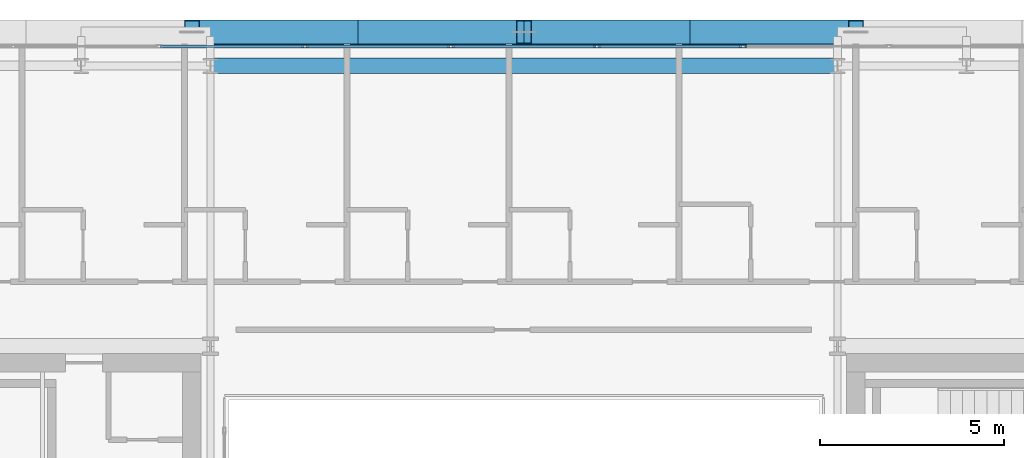
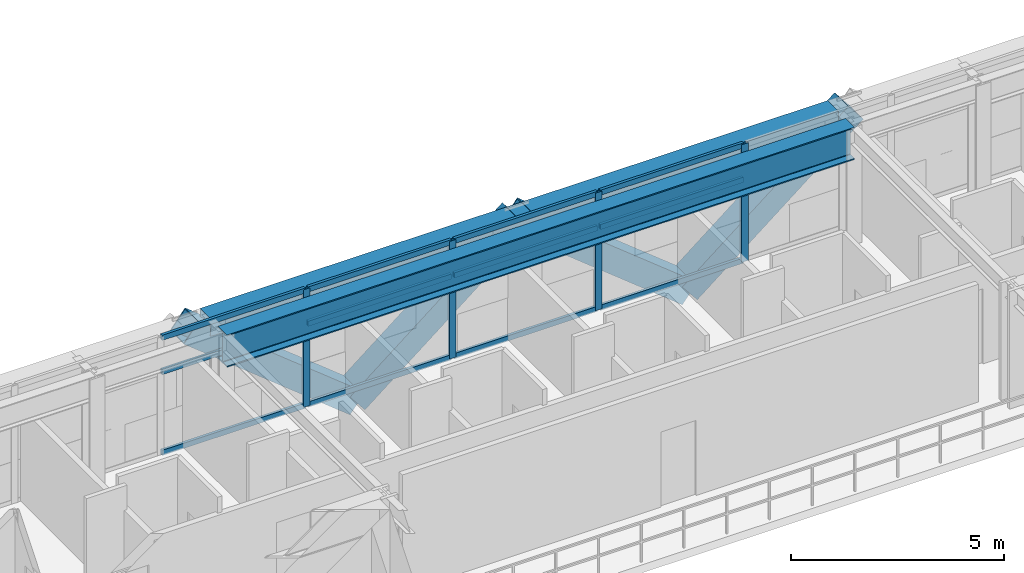
# One storey, part 21 of 38: 20 members, 2 beams, 1 element without a shape of its own.
"""IFC4 building model written with IfcOpenShell, lengths in metres."""

from ifc_helpers import new_model, si_unit, direction, frame, origin, origin_2d, place, context, subcontext, project, spatial, hollow_rectangle, i_section, extrude, source, transform, mapped, material, layer, layer_set, material_profile, profile_set, type_object, element, aggregate, save


model = new_model("IFC4")

# Units and contexts
model_context = context("Model", 3, precision=1e-05, world=origin(), true_north=direction((0.0, 1.0)))
body_context = subcontext(model_context, "Body", "Model", "MODEL_VIEW")
ifc_project = project(units=[si_unit("LENGTHUNIT", "METRE"), si_unit("AREAUNIT", "SQUARE_METRE"), si_unit("VOLUMEUNIT", "CUBIC_METRE"), si_unit("PLANEANGLEUNIT", "RADIAN"), si_unit("MASSUNIT", "GRAM", prefix="KILO")], contexts=[model_context])

# Site, building, storey
site_placement = place(None, origin())
site = spatial("IfcSite", under=ifc_project, at=site_placement, CompositionType="ELEMENT")
building_placement = place(site_placement, origin())
building = spatial("IfcBuilding", under=site, at=building_placement, Name="Ocotamira Hotel", CompositionType="ELEMENT")
storey_placement = place(building_placement, frame((0.0, 0.0, 170.39990234375)))
storey = spatial("IfcBuildingStorey", under=building, at=storey_placement, Name="L42", CompositionType="ELEMENT", Elevation=170.39990234375)

# Beams
ifc_material_1 = material(Name="Steel ASTM A992 Grade 50", Category="steel")
ifc_material_profile_1 = material_profile(ifc_material_1, i_section(OverallWidth=0.41796875, OverallDepth=0.927001953125, WebThickness=0.019287109375, FlangeThickness=0.031982421875, FilletRadius=0.02392578125, at=origin_2d()), Name="W36X231")
ifc_profile_set_1 = profile_set([ifc_material_profile_1], Name="Steel ASTM A992 Grade 50")
beam_type_1 = type_object("IfcBeamType", Name="BM-GIRD-W36X231", PredefinedType="BEAM", material=ifc_profile_set_1)
shared_shape_1 = source(origin(), body_context, "Body", "SweptSolid", [
    extrude(i_section(OverallWidth=0.41796875, OverallDepth=0.927001953125, WebThickness=0.019287109375, FlangeThickness=0.031982421875, FilletRadius=0.02392578125, at=origin_2d()), origin(), (0.0, 0.0, 1.0), 17.0),
])
beam_1_placement = place(storey_placement, frame((23.5, 45.050048828125, 2.906494140625), z_axis=(1.0, 0.0, 0.0), x_axis=(0.0, 1.0, 0.0)))
element("IfcBeam", 1, at=beam_1_placement, inside=storey, type_object=beam_type_1, Name="L42 Girder Y45.05 X23.5-40.5", PredefinedType="BEAM", context=body_context, shape_type="MappedRepresentation", body=[
    mapped(shared_shape_1, transform((0.0, 0.0, 0.0), scale=1.0)),
])
ifc_material_2 = material(Name="Steel ASTM A500 Grade C", Category="steel")
ifc_material_profile_2 = material_profile(ifc_material_2, hollow_rectangle(XDim=0.5, YDim=0.5, WallThickness=0.02001953125, at=origin_2d()), Name="HSS500X500X20")
ifc_profile_set_2 = profile_set([ifc_material_profile_2], Name="Steel ASTM A500 Grade C")
beam_type_2 = type_object("IfcBeamType", Name="BM-SPAN-HSS500", PredefinedType="USERDEFINED", material=ifc_profile_set_2)
shared_shape_2 = source(origin(), body_context, "Body", "SweptSolid", [
    extrude(hollow_rectangle(XDim=0.5, YDim=0.5, WallThickness=0.02001953125, at=origin_2d()), origin(), (0.0, 0.0, 1.0), 17.0),
])
beam_2_placement = place(storey_placement, frame((23.5, 45.85009765625, 3.1201171875), z_axis=(1.0, 0.0, 0.0), x_axis=(0.0, 1.0, 0.0)))
element("IfcBeam", 2, at=beam_2_placement, inside=storey, type_object=beam_type_2, Name="L42 Edge Spandrel N X23.5-40.5", ObjectType="SPANDREL", PredefinedType="USERDEFINED", context=body_context, shape_type="MappedRepresentation", body=[
    mapped(shared_shape_2, transform((0.0, 0.0, 0.0), scale=1.0)),
])

# Members
ifc_material_3 = material(Name="Pale-metal coated steel ASTM A913 Grade 65", Category="steel")
ifc_material_profile_3 = material_profile(ifc_material_3, hollow_rectangle(XDim=0.64990234375, YDim=0.64990234375, WallThickness=0.02197265625, at=origin_2d()), Name="BOX650X650X22")
ifc_profile_set_3 = profile_set([ifc_material_profile_3], Name="Pale-metal coated steel ASTM A913 Grade 65")
member_type_1 = type_object("IfcMemberType", Name="MEM-EXO-BOX650", PredefinedType="BRACE", material=ifc_profile_set_3)
shared_shape_3 = source(origin(), body_context, "Body", "SweptSolid", [
    extrude(hollow_rectangle(XDim=0.64990234375, YDim=0.64990234375, WallThickness=0.02197265625, at=origin_2d()), origin(), (0.0, 0.0, 1.0), 5.762939453125),
])
for number, where, z_axis, x_axis, name in (
    (3, (27.5, 45.969970703125, -0.47998046875), (-0.780860543151, 0.0, 0.624705380279), (0.0, -1.0, 0.0), "L42 Exoskeleton Diagrid N1.1"),
    (4, (27.5, 45.969970703125, -0.47998046875), (0.780860543151, 0.0, 0.624705380279), (0.0, 1.0, 0.0), "L42 Exoskeleton Diagrid N1.2"),
    (5, (36.5, 45.969970703125, -0.47998046875), (-0.780860543151, 0.0, 0.624705380279), (0.0, -1.0, 0.0), "L42 Exoskeleton Diagrid N2.1"),
    (6, (36.5, 45.969970703125, -0.47998046875), (0.780860543151, 0.0, 0.624705380279), (0.0, 1.0, 0.0), "L42 Exoskeleton Diagrid N2.2"),
):
    element("IfcMember", number, at=place(storey_placement, frame(where, z_axis=z_axis, x_axis=x_axis)), inside=storey, type_object=member_type_1, Name=name, PredefinedType="BRACE", context=body_context, shape_type="MappedRepresentation", body=[
        mapped(shared_shape_3, transform((0.0, 0.0, 0.0), scale=1.0)),
    ])

# Curtain wall, members
ifc_material_4 = material(Name="Anodised pale-metal aluminium and solar glass", Category="aluminium")
ifc_layer = layer(ifc_material_4, 0.199951171875)
ifc_layer_set = layer_set([ifc_layer], Name="Anodised pale-metal aluminium and solar glass")
curtain_wall_type = type_object("IfcCurtainWallType", Name="CW-SYS4-Z3", PredefinedType="NOTDEFINED", material=ifc_layer_set)
curtain_wall_placement = place(storey_placement, origin())
curtain_wall = element("IfcCurtainWall", 7, at=curtain_wall_placement, inside=storey, type_object=curtain_wall_type, Name="L42 Curtain Wall CW-4 CW-L42-N", PredefinedType="NOTDEFINED")
ifc_material_5 = material(Name="Anodised pale-metal aluminium 6063-T6", Category="aluminium")
ifc_material_profile_4 = material_profile(ifc_material_5, hollow_rectangle(XDim=0.074951171875, YDim=0.14990234375, WallThickness=0.006103515625, at=origin_2d()), Name="HSS150X75X6")
ifc_profile_set_4 = profile_set([ifc_material_profile_4], Name="Anodised pale-metal aluminium 6063-T6")
member_type_2 = type_object("IfcMemberType", Name="CWT-150X75", PredefinedType="USERDEFINED", material=ifc_profile_set_4)
shared_shape_4 = source(origin(), body_context, "Body", "SweptSolid", [
    extrude(hollow_rectangle(XDim=0.074951171875, YDim=0.14990234375, WallThickness=0.006103515625, at=origin_2d()), origin(), (0.0, 0.0, 1.0), 3.87548828125),
])
member_1_placement = place(storey_placement, frame((22.151123046875, 45.580078125, 0.03759765625), z_axis=(1.0, 0.0, 0.0), x_axis=(0.0, 1.0, 0.0)))
member_1 = element("IfcMember", 8, at=member_1_placement, type_object=member_type_2, Name="CW-4 transom 3.1", ObjectType="TRANSOM", PredefinedType="USERDEFINED", context=body_context, shape_type="MappedRepresentation", body=[
    mapped(shared_shape_4, transform((0.0, 0.0, 0.0), scale=1.0)),
])
member_2_placement = place(storey_placement, frame((22.151123046875, 45.580078125, 2.35009765625), z_axis=(1.0, 0.0, 0.0), x_axis=(0.0, 1.0, 0.0)))
member_2 = element("IfcMember", 9, at=member_2_placement, type_object=member_type_2, Name="CW-4 transom 3.2", ObjectType="TRANSOM", PredefinedType="USERDEFINED", context=body_context, shape_type="MappedRepresentation", body=[
    mapped(shared_shape_4, transform((0.0, 0.0, 0.0), scale=1.0)),
])
member_3_placement = place(storey_placement, frame((22.151123046875, 45.580078125, 3.33251953125), z_axis=(1.0, 0.0, 0.0), x_axis=(0.0, 1.0, 0.0)))
member_3 = element("IfcMember", 10, at=member_3_placement, type_object=member_type_2, Name="CW-4 transom 3.3", ObjectType="TRANSOM", PredefinedType="USERDEFINED", context=body_context, shape_type="MappedRepresentation", body=[
    mapped(shared_shape_4, transform((0.0, 0.0, 0.0), scale=1.0)),
])
member_4_placement = place(storey_placement, frame((26.106689453125, 45.580078125, 0.03759765625), z_axis=(1.0, 0.0, 0.0), x_axis=(0.0, 1.0, 0.0)))
member_4 = element("IfcMember", 11, at=member_4_placement, type_object=member_type_2, Name="CW-4 transom 4.1", ObjectType="TRANSOM", PredefinedType="USERDEFINED", context=body_context, shape_type="MappedRepresentation", body=[
    mapped(shared_shape_4, transform((0.0, 0.0, 0.0), scale=1.0)),
])
member_5_placement = place(storey_placement, frame((26.106689453125, 45.580078125, 2.35009765625), z_axis=(1.0, 0.0, 0.0), x_axis=(0.0, 1.0, 0.0)))
member_5 = element("IfcMember", 12, at=member_5_placement, type_object=member_type_2, Name="CW-4 transom 4.2", ObjectType="TRANSOM", PredefinedType="USERDEFINED", context=body_context, shape_type="MappedRepresentation", body=[
    mapped(shared_shape_4, transform((0.0, 0.0, 0.0), scale=1.0)),
])
member_6_placement = place(storey_placement, frame((26.106689453125, 45.580078125, 3.33251953125), z_axis=(1.0, 0.0, 0.0), x_axis=(0.0, 1.0, 0.0)))
member_6 = element("IfcMember", 13, at=member_6_placement, type_object=member_type_2, Name="CW-4 transom 4.3", ObjectType="TRANSOM", PredefinedType="USERDEFINED", context=body_context, shape_type="MappedRepresentation", body=[
    mapped(shared_shape_4, transform((0.0, 0.0, 0.0), scale=1.0)),
])
member_7_placement = place(storey_placement, frame((30.062255859375, 45.580078125, 0.03759765625), z_axis=(1.0, 0.0, 0.0), x_axis=(0.0, 1.0, 0.0)))
member_7 = element("IfcMember", 14, at=member_7_placement, type_object=member_type_2, Name="CW-4 transom 5.1", ObjectType="TRANSOM", PredefinedType="USERDEFINED", context=body_context, shape_type="MappedRepresentation", body=[
    mapped(shared_shape_4, transform((0.0, 0.0, 0.0), scale=1.0)),
])
member_8_placement = place(storey_placement, frame((30.062255859375, 45.580078125, 2.35009765625), z_axis=(1.0, 0.0, 0.0), x_axis=(0.0, 1.0, 0.0)))
member_8 = element("IfcMember", 15, at=member_8_placement, type_object=member_type_2, Name="CW-4 transom 5.2", ObjectType="TRANSOM", PredefinedType="USERDEFINED", context=body_context, shape_type="MappedRepresentation", body=[
    mapped(shared_shape_4, transform((0.0, 0.0, 0.0), scale=1.0)),
])
member_9_placement = place(storey_placement, frame((30.062255859375, 45.580078125, 3.33251953125), z_axis=(1.0, 0.0, 0.0), x_axis=(0.0, 1.0, 0.0)))
member_9 = element("IfcMember", 16, at=member_9_placement, type_object=member_type_2, Name="CW-4 transom 5.3", ObjectType="TRANSOM", PredefinedType="USERDEFINED", context=body_context, shape_type="MappedRepresentation", body=[
    mapped(shared_shape_4, transform((0.0, 0.0, 0.0), scale=1.0)),
])
member_10_placement = place(storey_placement, frame((34.017822265625, 45.580078125, 0.03759765625), z_axis=(1.0, 0.0, 0.0), x_axis=(0.0, 1.0, 0.0)))
member_10 = element("IfcMember", 17, at=member_10_placement, type_object=member_type_2, Name="CW-4 transom 6.1", ObjectType="TRANSOM", PredefinedType="USERDEFINED", context=body_context, shape_type="MappedRepresentation", body=[
    mapped(shared_shape_4, transform((0.0, 0.0, 0.0), scale=1.0)),
])
member_11_placement = place(storey_placement, frame((34.017822265625, 45.580078125, 2.35009765625), z_axis=(1.0, 0.0, 0.0), x_axis=(0.0, 1.0, 0.0)))
member_11 = element("IfcMember", 18, at=member_11_placement, type_object=member_type_2, Name="CW-4 transom 6.2", ObjectType="TRANSOM", PredefinedType="USERDEFINED", context=body_context, shape_type="MappedRepresentation", body=[
    mapped(shared_shape_4, transform((0.0, 0.0, 0.0), scale=1.0)),
])
member_12_placement = place(storey_placement, frame((34.017822265625, 45.580078125, 3.33251953125), z_axis=(1.0, 0.0, 0.0), x_axis=(0.0, 1.0, 0.0)))
member_12 = element("IfcMember", 19, at=member_12_placement, type_object=member_type_2, Name="CW-4 transom 6.3", ObjectType="TRANSOM", PredefinedType="USERDEFINED", context=body_context, shape_type="MappedRepresentation", body=[
    mapped(shared_shape_4, transform((0.0, 0.0, 0.0), scale=1.0)),
])
ifc_material_profile_5 = material_profile(ifc_material_5, hollow_rectangle(XDim=0.080078125, YDim=0.179931640625, WallThickness=0.006103515625, at=origin_2d()), Name="HSS180X80X6")
ifc_profile_set_5 = profile_set([ifc_material_profile_5], Name="Anodised pale-metal aluminium 6063-T6")
member_type_3 = type_object("IfcMemberType", Name="CWM-180X75", PredefinedType="MULLION", material=ifc_profile_set_5)
shared_shape_5 = source(origin(), body_context, "Body", "SweptSolid", [
    extrude(hollow_rectangle(XDim=0.080078125, YDim=0.179931640625, WallThickness=0.006103515625, at=origin_2d()), origin(), (0.0, 0.0, 1.0), 3.3701171875),
])
member_13_placement = place(storey_placement, frame((26.066650390625, 45.580078125, 0.0), z_axis=(0.0, 0.0, 1.0), x_axis=(0.0, 1.0, 0.0)))
member_13 = element("IfcMember", 20, at=member_13_placement, type_object=member_type_3, Name="CW-4 mullion 4", PredefinedType="MULLION", context=body_context, shape_type="MappedRepresentation", body=[
    mapped(shared_shape_5, transform((0.0, 0.0, 0.0), scale=1.0)),
])
member_14_placement = place(storey_placement, frame((30.022216796875, 45.580078125, 0.0), z_axis=(0.0, 0.0, 1.0), x_axis=(0.0, 1.0, 0.0)))
member_14 = element("IfcMember", 21, at=member_14_placement, type_object=member_type_3, Name="CW-4 mullion 5", PredefinedType="MULLION", context=body_context, shape_type="MappedRepresentation", body=[
    mapped(shared_shape_5, transform((0.0, 0.0, 0.0), scale=1.0)),
])
member_15_placement = place(storey_placement, frame((33.977783203125, 45.580078125, 0.0), z_axis=(0.0, 0.0, 1.0), x_axis=(0.0, 1.0, 0.0)))
member_15 = element("IfcMember", 22, at=member_15_placement, type_object=member_type_3, Name="CW-4 mullion 6", PredefinedType="MULLION", context=body_context, shape_type="MappedRepresentation", body=[
    mapped(shared_shape_5, transform((0.0, 0.0, 0.0), scale=1.0)),
])
member_16_placement = place(storey_placement, frame((37.933349609375, 45.580078125, 0.0), z_axis=(0.0, 0.0, 1.0), x_axis=(0.0, 1.0, 0.0)))
member_16 = element("IfcMember", 23, at=member_16_placement, type_object=member_type_3, Name="CW-4 mullion 7", PredefinedType="MULLION", context=body_context, shape_type="MappedRepresentation", body=[
    mapped(shared_shape_5, transform((0.0, 0.0, 0.0), scale=1.0)),
])
aggregate(curtain_wall, [member_13, member_14, member_15, member_16, member_1, member_2, member_3, member_4, member_5, member_6, member_7, member_8, member_9, member_10, member_11, member_12])

save(model, "model.ifc")
